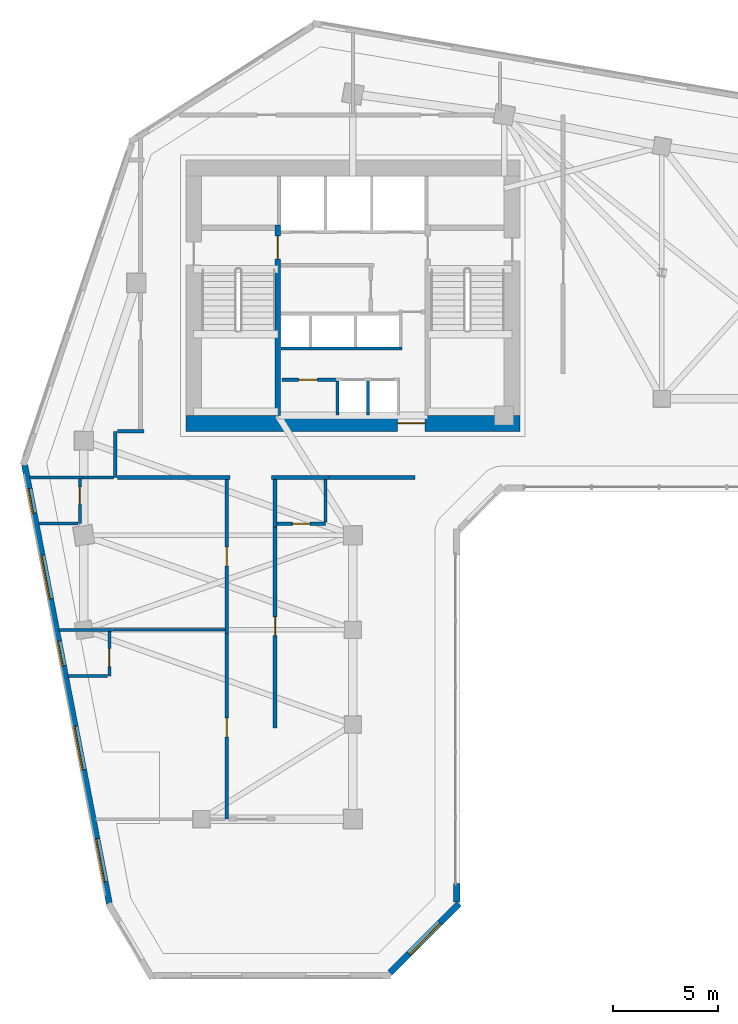
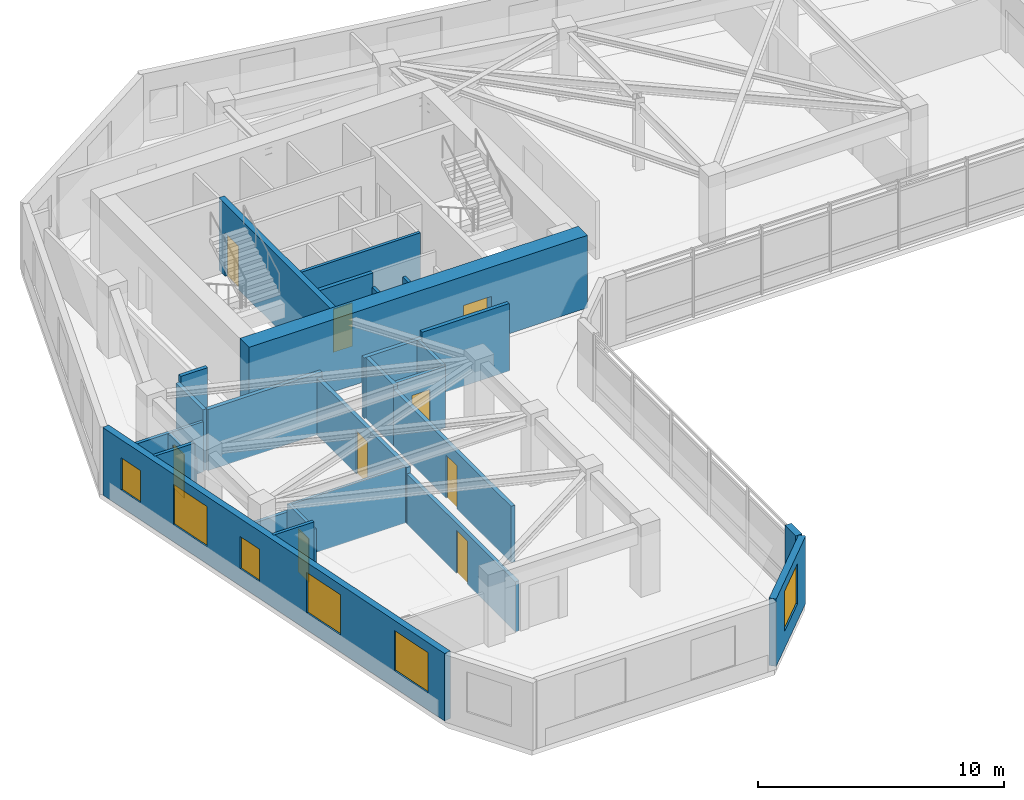
# One storey, part 5 of 13: 28 walls, 9 doors, 6 windows, 15 openings.
"""IFC4 building model written with IfcOpenShell, lengths in metres."""

import ifcopenshell
import ifcopenshell.guid

model = None  # the IFC model being written
_history = None  # IfcOwnerHistory: only IFC2X3 demands one
_inside = {}  # id of a spatial element -> (the spatial element, [elements in it])
_under = {}  # id of a project, library or spatial element -> (it, [spatial elements below it])
_declared = {}  # id of a project -> (the project, [libraries it declares])
_typed = {}  # id of a type object -> (the type object, [elements of that type])
_made_of = {}  # id of a material, layer set ... -> (it, [elements and type objects made of it])


def new_model(schema):
    """Start an empty IFC model of exactly this schema.

    Asked for "IFC4X3", IfcOpenShell would pick the latest addendum, in which some entities
    have other attributes; the version numbers below select the first issue.
    IFC2X3 requires an IfcOwnerHistory on every rooted entity: one is made here for all.
    """
    global model, _history
    if schema == "IFC4X3":
        model = ifcopenshell.file(schema_version=(4, 3, 0, 0))
    else:
        model = ifcopenshell.file(schema=schema)
    _inside.clear()
    _under.clear()
    _declared.clear()
    _typed.clear()
    _made_of.clear()
    _history = None
    if model.schema == "IFC2X3":
        org = make("IfcOrganization", Name="unknown")
        user = make(
            "IfcPersonAndOrganization",
            ThePerson=make("IfcPerson", FamilyName="unknown"),
            TheOrganization=org,
        )
        app = make(
            "IfcApplication",
            ApplicationDeveloper=org,
            Version="unknown",
            ApplicationFullName="unknown",
            ApplicationIdentifier="unknown",
        )
        _history = make(
            "IfcOwnerHistory",
            OwningUser=user,
            OwningApplication=app,
            ChangeAction="ADDED",
            CreationDate=0,
        )
    return model


def make(cls, **values):
    """One entity of the class cls with the attributes given. An attribute that is None is left unset."""
    return model.create_entity(
        cls, **{name: value for name, value in values.items() if value is not None}
    )


def rooted(cls, **values):
    """An entity with a GlobalId (a new one), such as an element, a storey or a relation."""
    return make(cls, GlobalId=ifcopenshell.guid.new(), OwnerHistory=_history, **values)


def si_unit(unit_type, name, prefix=None):
    """IfcSIUnit, for example si_unit("LENGTHUNIT", "METRE", prefix="MILLI")."""
    return make("IfcSIUnit", UnitType=unit_type, Prefix=prefix, Name=name)


def assignment(units):
    """IfcUnitAssignment: the units of a project."""
    return None if units is None else make("IfcUnitAssignment", Units=units)


def point(xyz):
    """IfcCartesianPoint."""
    return None if xyz is None else make("IfcCartesianPoint", Coordinates=xyz)


def direction(xyz):
    """IfcDirection."""
    return None if xyz is None else make("IfcDirection", DirectionRatios=xyz)


def frame(location, z_axis=None, x_axis=None):
    """IfcAxis2Placement3D, a coordinate frame: its origin and axes. An axis left out is left unset."""
    return make(
        "IfcAxis2Placement3D",
        Location=point(location),
        Axis=direction(z_axis),
        RefDirection=direction(x_axis),
    )


def frame_2d(location, x_axis=None):
    """IfcAxis2Placement2D, a coordinate frame in the plane: its origin and x axis."""
    return make(
        "IfcAxis2Placement2D", Location=point(location), RefDirection=direction(x_axis)
    )


def origin():
    """The frame at (0, 0, 0) with its axes left unset."""
    return frame((0.0, 0.0, 0.0))


def place(relative_to, where):
    """IfcLocalPlacement: puts the frame where relative to a parent placement (None: the world)."""
    return make(
        "IfcLocalPlacement", PlacementRelTo=relative_to, RelativePlacement=where
    )


def context(
    kind, dimensions, precision=None, world=None, true_north=None, identifier=None
):
    """IfcGeometricRepresentationContext, for example the 3D "Model" context."""
    return make(
        "IfcGeometricRepresentationContext",
        ContextIdentifier=identifier,
        ContextType=kind,
        CoordinateSpaceDimension=dimensions,
        Precision=precision,
        WorldCoordinateSystem=world,
        TrueNorth=true_north,
    )


def subcontext(parent, identifier, kind, view, scale=None):
    """IfcGeometricRepresentationSubContext, for example "Body" below "Model"."""
    return make(
        "IfcGeometricRepresentationSubContext",
        ContextIdentifier=identifier,
        ContextType=kind,
        ParentContext=parent,
        TargetScale=scale,
        TargetView=view,
    )


def project(units=None, contexts=None):
    """IfcProject with its units and contexts."""
    return rooted(
        "IfcProject",
        Name="project",
        RepresentationContexts=contexts,
        UnitsInContext=assignment(units),
    )


def spatial(cls, under=None, at=None, **own):
    """A site, building, storey or space (cls), placed at a placement, below another one or the project."""
    s = rooted(cls, ObjectPlacement=at, **own)
    if under is not None:
        _under.setdefault(under.id(), (under, []))[1].append(s)
    return s


def profile(cls, at=None, kind="AREA", **sizes):
    """A parametric profile (cls). Its sizes go by their IFC names, for example OverallWidth=200.0."""
    return make(cls, ProfileType=kind, Position=at, **sizes)


def rectangle(**sizes):
    """IfcRectangleProfileDef."""
    return profile("IfcRectangleProfileDef", **sizes)


def extrude(swept, where, along, depth):
    """IfcExtrudedAreaSolid: the profile swept, set in the frame where, extruded along a direction by depth."""
    return make(
        "IfcExtrudedAreaSolid",
        SweptArea=swept,
        Position=where,
        ExtrudedDirection=direction(along),
        Depth=depth,
    )


def shape(context_of_items, identifier, shape_type, items):
    """IfcShapeRepresentation: the items that make up one representation, for example the "Body"."""
    return make(
        "IfcShapeRepresentation",
        ContextOfItems=context_of_items,
        RepresentationIdentifier=identifier,
        RepresentationType=shape_type,
        Items=items,
    )


def source(mapping_origin, context_of_items, identifier, shape_type, items):
    """IfcRepresentationMap: a shape defined once, which mapped items show again and again."""
    return make(
        "IfcRepresentationMap",
        MappingOrigin=mapping_origin,
        MappedRepresentation=shape(context_of_items, identifier, shape_type, items),
    )


def transform(
    local_origin,
    x_axis=None,
    y_axis=None,
    z_axis=None,
    scale=None,
    scale2=None,
    scale3=None,
    uniform=True,
):
    """IfcCartesianTransformationOperator3D, or its non-uniform kind. x_axis, y_axis, z_axis: its Axis1, 2, 3."""
    if uniform:
        return make(
            "IfcCartesianTransformationOperator3D",
            Axis1=direction(x_axis),
            Axis2=direction(y_axis),
            LocalOrigin=point(local_origin),
            Scale=scale,
            Axis3=direction(z_axis),
        )
    return make(
        "IfcCartesianTransformationOperator3DnonUniform",
        Axis1=direction(x_axis),
        Axis2=direction(y_axis),
        LocalOrigin=point(local_origin),
        Scale=scale,
        Axis3=direction(z_axis),
        Scale2=scale2,
        Scale3=scale3,
    )


def mapped(mapping_source, mapping_target):
    """IfcMappedItem: shows the shape of a source again, moved by a transform."""
    return make(
        "IfcMappedItem", MappingSource=mapping_source, MappingTarget=mapping_target
    )


def material(Name=None, Category=None):
    """IfcMaterial."""
    return make("IfcMaterial", Name=Name, Category=Category)


def layer(
    of_material, thickness, ventilated=None, Name=None, Category=None, Priority=None
):
    """IfcMaterialLayer: one layer of a wall or slab, of a material (None: an air gap)."""
    return make(
        "IfcMaterialLayer",
        Material=of_material,
        LayerThickness=thickness,
        IsVentilated=ventilated,
        Name=Name,
        Category=Category,
        Priority=Priority,
    )


def layer_set(layers, Name=None):
    """IfcMaterialLayerSet."""
    return make("IfcMaterialLayerSet", MaterialLayers=layers, LayerSetName=Name)


def made_of(thing, what):
    """Note that an element or type object is made of a material, layer set ...; save() writes the relation."""
    if what is not None:
        _made_of.setdefault(what.id(), (what, []))[1].append(thing)
    return thing


def type_object(cls, material=None, **own):
    """A type object (cls), such as IfcWallType, which elements share."""
    return made_of(rooted(cls, **own), material)


def element(
    cls,
    number,
    at=None,
    inside=None,
    cuts=None,
    type_object=None,
    material=None,
    context=None,
    identifier="Body",
    shape_type=None,
    held_by="IfcProductDefinitionShape",
    body=None,
    shapes=None,
    **own,
):
    """One element of the class cls, such as IfcWall. Its Tag is "e" and its number.

    at: its placement. inside: the storey or other place that contains it. cuts: it is an
    opening in that element (IfcRelVoidsElement). A single representation is given by context,
    identifier, shape_type and body (its items); several are given by shapes. held_by: the class
    of the entity that holds the representations. save() writes the other relations.
    """
    e = rooted(cls, Tag="e%d" % number, ObjectPlacement=at, **own)
    if body is not None:
        shapes = [shape(context, identifier, shape_type, body)]
    if shapes is not None:
        e.Representation = make(held_by, Representations=shapes)
    if inside is not None:
        _inside.setdefault(inside.id(), (inside, []))[1].append(e)
    if cuts is not None:
        rooted(
            "IfcRelVoidsElement", RelatingBuildingElement=cuts, RelatedOpeningElement=e
        )
    if type_object is not None:
        _typed.setdefault(type_object.id(), (type_object, []))[1].append(e)
    return made_of(e, material)


def fill(opening, filler):
    """IfcRelFillsElement: the door or window that sits in an opening."""
    return rooted(
        "IfcRelFillsElement",
        RelatingOpeningElement=opening,
        RelatedBuildingElement=filler,
    )


def aggregate(whole, parts):
    """IfcRelAggregates: a whole, such as a stair, and the parts it consists of."""
    return rooted("IfcRelAggregates", RelatingObject=whole, RelatedObjects=parts)


def save(model, path):
    """Write the relations noted so far, then the file.

    IfcRelAggregates (storeys below a building ...), IfcRelContainedInSpatialStructure (elements
    in a storey), IfcRelDefinesByType, IfcRelAssociatesMaterial and IfcRelDeclares: one each for
    every whole, place, type object, material and project.
    """
    for whole, parts in _under.values():
        aggregate(whole, parts)
    for where, things in _inside.values():
        rooted(
            "IfcRelContainedInSpatialStructure",
            RelatedElements=things,
            RelatingStructure=where,
        )
    for kind, things in _typed.values():
        rooted("IfcRelDefinesByType", RelatedObjects=things, RelatingType=kind)
    for what, things in _made_of.values():
        rooted("IfcRelAssociatesMaterial", RelatedObjects=things, RelatingMaterial=what)
    for by, libraries in _declared.values():
        rooted("IfcRelDeclares", RelatingContext=by, RelatedDefinitions=libraries)
    model.write(path)


model = new_model("IFC4")

# Units and contexts
model_context = context("Model", 3, precision=1e-05, world=origin(), true_north=direction((0.0, 1.0)))
body_context = subcontext(model_context, "Body", "Model", "MODEL_VIEW")
ifc_project = project(units=[si_unit("LENGTHUNIT", "METRE"), si_unit("AREAUNIT", "SQUARE_METRE"), si_unit("VOLUMEUNIT", "CUBIC_METRE"), si_unit("PLANEANGLEUNIT", "RADIAN"), si_unit("MASSUNIT", "GRAM", prefix="KILO")], contexts=[model_context])

# Site, building, storey
site_placement = place(None, origin())
site = spatial("IfcSite", under=ifc_project, at=site_placement, CompositionType="ELEMENT")
building_placement = place(site_placement, origin())
building = spatial("IfcBuilding", under=site, at=building_placement, Name="Calvemar Wedge Station Tower", CompositionType="ELEMENT")
storey_placement = place(building_placement, frame((0.0, 0.0, 132.199951171875)))
storey = spatial("IfcBuildingStorey", under=building, at=storey_placement, Name="L32", CompositionType="ELEMENT", Elevation=132.199951171875)

# Wall, opening, door
ifc_material_1 = material(Name="Concrete C50", Category="concrete")
ifc_layer_1 = layer(ifc_material_1, 0.260009765625)
ifc_layer_set_1 = layer_set([ifc_layer_1], Name="Concrete C50")
wall_type_1 = type_object("IfcWallType", Name="SW-CORE-260", PredefinedType="SHEAR", material=ifc_layer_set_1)
wall_1_placement = place(storey_placement, frame((20.22998046875, 34.199951171875, 0.0), z_axis=(0.0, 0.0, 1.0), x_axis=(0.0, 1.0, 0.0)))
wall_1 = element("IfcWall", 1, at=wall_1_placement, inside=storey, type_object=wall_type_1, Name="Storey L32 Core Shear Wall SPINE-W", PredefinedType="SHEAR", context=body_context, shape_type="SweptSolid", body=[
    extrude(rectangle(XDim=9.06005859375, YDim=0.260009765625, at=frame_2d((4.530029296875, 0.0))), origin(), (0.0, 0.0, 1.0), 3.60009765625),
])
shared_shape_1 = source(origin(), body_context, "Body", "SweptSolid", [
    extrude(rectangle(XDim=1.10009765625, YDim=2.14990234375, at=frame_2d((0.550048828125, 1.074951171875))), frame((0.0, 0.14013671875, 0.0), z_axis=(0.0, -1.0, 0.0), x_axis=(1.0, 0.0, 0.0)), (0.0, 0.0, 1.0), 0.280029296875),
])
opening_1_placement = place(wall_1_placement, frame((7.449951171875, 0.0, 0.0)))
opening_1 = element("IfcOpeningElement", 2, at=opening_1_placement, cuts=wall_1, Name="Opening FD-90", PredefinedType="OPENING", context=body_context, shape_type="MappedRepresentation", body=[
    mapped(shared_shape_1, transform((0.0, 0.0, 0.0), scale=1.0)),
])
ifc_material_2 = material(Name="Galvanized fire-rated steel door leaf P-90", Category="steel")
door_type_1 = type_object("IfcDoorType", Name="DR-FD90-1100", OperationType="NOTDEFINED", PredefinedType="DOOR", material=ifc_material_2)
shared_shape_2 = source(origin(), body_context, "Body", "SweptSolid", [
    extrude(rectangle(XDim=1.10009765625, YDim=2.14990234375, at=frame_2d((0.550048828125, 1.074951171875))), frame((0.0, 0.02490234375, 0.0), z_axis=(0.0, -1.0, 0.0), x_axis=(1.0, 0.0, 0.0)), (0.0, 0.0, 1.0), 0.050048828125),
])
door_1_placement = place(opening_1_placement, origin())
door_1 = element("IfcDoor", 3, at=door_1_placement, inside=storey, type_object=door_type_1, Name="L32 FF Lobby to Stair ST-C1 Door", OperationType="SINGLE_SWING_LEFT", OverallHeight=2.14990234375, OverallWidth=1.10009765625, PredefinedType="DOOR", context=body_context, shape_type="MappedRepresentation", body=[
    mapped(shared_shape_2, transform((0.0, 0.0, 0.0), scale=1.0)),
])
fill(opening_1, door_1)

ifc_material_3 = material(Name="Concrete C70", Category="concrete")
ifc_layer_2 = layer(ifc_material_3, 0.75)
ifc_layer_set_2 = layer_set([ifc_layer_2], Name="Concrete C70")
wall_type_2 = type_object("IfcWallType", Name="SW-CORE-750", PredefinedType="SHEAR", material=ifc_layer_set_2)
wall_2_placement = place(storey_placement, frame((15.85009765625, 33.824951171875, 0.0), z_axis=(0.0, 0.0, 1.0), x_axis=(1.0, 0.0, 0.0)))
wall_2 = element("IfcWall", 4, at=wall_2_placement, inside=storey, type_object=wall_type_2, Name="Storey L32 Core Shear Wall S", PredefinedType="SHEAR", context=body_context, shape_type="SweptSolid", body=[
    extrude(rectangle(XDim=15.89990234375, YDim=0.75, at=frame_2d((7.949951171875, 0.0))), origin(), (0.0, 0.0, 1.0), 3.60009765625),
])
shared_shape_3 = source(origin(), body_context, "Body", "SweptSolid", [
    extrude(rectangle(XDim=1.300048828125, YDim=2.14990234375, at=frame_2d((0.64990234375, 1.074951171875))), frame((0.0, 0.385009765625, 0.0), z_axis=(0.0, -1.0, 0.0), x_axis=(1.0, 0.0, 0.0)), (0.0, 0.0, 1.0), 0.77001953125),
])
opening_2_placement = place(wall_2_placement, frame((10.080078125, 0.0, 0.0)))
opening_2 = element("IfcOpeningElement", 5, at=opening_2_placement, cuts=wall_2, Name="Opening DD-130", PredefinedType="OPENING", context=body_context, shape_type="MappedRepresentation", body=[
    mapped(shared_shape_3, transform((0.0, 0.0, 0.0), scale=1.0)),
])
ifc_material_4 = material(Name="Double-leaf lift lobby fire door EI 60")
door_type_2 = type_object("IfcDoorType", Name="DR-DBL-1300", OperationType="DOUBLE_DOOR_SINGLE_SWING", PredefinedType="DOOR", material=ifc_material_4)
shared_shape_4 = source(origin(), body_context, "Body", "SweptSolid", [
    extrude(rectangle(XDim=1.300048828125, YDim=2.14990234375, at=frame_2d((0.64990234375, 1.074951171875))), frame((0.0, 0.02490234375, 0.0), z_axis=(0.0, -1.0, 0.0), x_axis=(1.0, 0.0, 0.0)), (0.0, 0.0, 1.0), 0.050048828125),
])
door_2_placement = place(opening_2_placement, origin())
door_2 = element("IfcDoor", 6, at=door_2_placement, inside=storey, type_object=door_type_2, Name="L32 Passenger Lift Lobby Door", OperationType="DOUBLE_DOOR_SINGLE_SWING", OverallHeight=2.14990234375, OverallWidth=1.300048828125, PredefinedType="DOOR", context=body_context, shape_type="MappedRepresentation", body=[
    mapped(shared_shape_4, transform((0.0, 0.0, 0.0), scale=1.0)),
])
fill(opening_2, door_2)

ifc_material_5 = material(Name="Double-stud fire-rated corridor partition")
ifc_layer_3 = layer(ifc_material_5, 0.179931640625)
ifc_layer_set_3 = layer_set([ifc_layer_3], Name="Double-stud fire-rated corridor partition")
wall_type_3 = type_object("IfcWallType", Name="W-CORR-180", PredefinedType="PARTITIONING", material=ifc_layer_set_3)
wall_3_placement = place(storey_placement, frame((20.419921875, 35.89990234375, 0.0), z_axis=(0.0, 0.0, 1.0), x_axis=(1.0, 0.0, 0.0)))
wall_3 = element("IfcWall", 7, at=wall_3_placement, inside=storey, type_object=wall_type_3, Name="Storey L32 Interior Partition WL-L32-004", PredefinedType="PARTITIONING", context=body_context, shape_type="SweptSolid", body=[
    extrude(rectangle(XDim=2.6201171875, YDim=0.179931640625, at=frame_2d((1.31005859375, 0.0))), origin(), (0.0, 0.0, 1.0), 3.35009765625),
])
shared_shape_5 = source(origin(), body_context, "Body", "SweptSolid", [
    extrude(rectangle(XDim=0.89990234375, YDim=2.14990234375, at=frame_2d((0.449951171875, 1.074951171875))), frame((0.0, 0.10009765625, 0.0), z_axis=(0.0, -1.0, 0.0), x_axis=(1.0, 0.0, 0.0)), (0.0, 0.0, 1.0), 0.199951171875),
])
opening_3_placement = place(wall_3_placement, frame((0.795654296875, 0.0, 0.0)))
opening_3 = element("IfcOpeningElement", 8, at=opening_3_placement, cuts=wall_3, Name="Opening FD-60", PredefinedType="OPENING", context=body_context, shape_type="MappedRepresentation", body=[
    mapped(shared_shape_5, transform((0.0, 0.0, 0.0), scale=1.0)),
])
ifc_material_6 = material(Name="Fire-rated acoustic timber-core entrance door EI 60", Category="wood")
door_type_3 = type_object("IfcDoorType", Name="DR-FD60-900", OperationType="NOTDEFINED", PredefinedType="DOOR", material=ifc_material_6)
shared_shape_6 = source(origin(), body_context, "Body", "SweptSolid", [
    extrude(rectangle(XDim=0.89990234375, YDim=2.14990234375, at=frame_2d((0.449951171875, 1.074951171875))), frame((0.0, 0.02490234375, 0.0), z_axis=(0.0, -1.0, 0.0), x_axis=(1.0, 0.0, 0.0)), (0.0, 0.0, 1.0), 0.050048828125),
])
door_3_placement = place(opening_3_placement, origin())
door_3 = element("IfcDoor", 9, at=door_3_placement, inside=storey, type_object=door_type_3, Name="L32 Housekeeping Store Door", OperationType="SINGLE_SWING_LEFT", OverallHeight=2.14990234375, OverallWidth=0.89990234375, PredefinedType="DOOR", context=body_context, shape_type="MappedRepresentation", body=[
    mapped(shared_shape_6, transform((0.0, 0.0, 0.0), scale=1.0)),
])
fill(opening_3, door_3)

# Walls
wall_4_placement = place(storey_placement, frame((12.5, 31.25, 0.0), z_axis=(0.0, 0.0, 1.0), x_axis=(0.0, 1.0, 0.0)))
element("IfcWall", 10, at=wall_4_placement, inside=storey, type_object=wall_type_3, Name="Storey L32 Interior Partition WL-L32-005", PredefinedType="PARTITIONING", context=body_context, shape_type="SweptSolid", body=[
    extrude(rectangle(XDim=2.199951171875, YDim=0.179931640625, at=frame_2d((1.10009765625, 0.0))), origin(), (0.0, 0.0, 1.0), 3.033935546875),
])
wall_5_placement = place(storey_placement, frame((12.593994140625, 33.449951171875, 0.0), z_axis=(0.0, 0.0, 1.0), x_axis=(1.0, 0.0, 0.0)))
element("IfcWall", 11, at=wall_5_placement, inside=storey, type_object=wall_type_3, Name="Storey L32 Interior Partition WL-L32-006", PredefinedType="PARTITIONING", context=body_context, shape_type="SweptSolid", body=[
    extrude(rectangle(XDim=1.26611328125, YDim=0.179931640625, at=frame_2d((0.633056640625, 0.0))), origin(), (0.0, 0.0, 1.0), 3.35009765625),
])
wall_6_placement = place(storey_placement, frame((17.9599609375, 31.25, 0.0), z_axis=(0.0, 0.0, 1.0), x_axis=(-1.0, 0.0, 0.0)))
element("IfcWall", 12, at=wall_6_placement, inside=storey, type_object=wall_type_3, Name="Storey L32 Interior Partition WL-L32-007", PredefinedType="PARTITIONING", context=body_context, shape_type="SweptSolid", body=[
    extrude(rectangle(XDim=5.365966796875, YDim=0.179931640625, at=frame_2d((2.68310546875, 0.0))), origin(), (0.0, 0.0, 1.0), 3.033935546875),
])
wall_7_placement = place(storey_placement, frame((22.659912109375, 31.25, 0.0), z_axis=(0.0, 0.0, 1.0), x_axis=(-1.0, 0.0, 0.0)))
element("IfcWall", 13, at=wall_7_placement, inside=storey, type_object=wall_type_3, Name="Storey L32 Interior Partition WL-L32-008", PredefinedType="PARTITIONING", context=body_context, shape_type="SweptSolid", body=[
    extrude(rectangle(XDim=2.719970703125, YDim=0.179931640625, at=frame_2d((1.35986328125, 0.0))), origin(), (0.0, 0.0, 1.0), 3.033935546875),
])
wall_8_placement = place(storey_placement, frame((26.760009765625, 31.25, 0.0), z_axis=(0.0, 0.0, 1.0), x_axis=(-1.0, 0.0, 0.0)))
element("IfcWall", 14, at=wall_8_placement, inside=storey, type_object=wall_type_3, Name="Storey L32 Interior Partition WL-L32-009", PredefinedType="PARTITIONING", context=body_context, shape_type="SweptSolid", body=[
    extrude(rectangle(XDim=4.097900390625, YDim=0.179931640625, at=frame_2d((2.048828125, 0.0))), origin(), (0.0, 0.0, 1.0), 3.35009765625),
])

# Wall, opening, door
wall_9_placement = place(storey_placement, frame((17.800048828125, 23.840087890625, 0.0), z_axis=(0.0, 0.0, 1.0), x_axis=(0.0, 1.0, 0.0)))
wall_9 = element("IfcWall", 15, at=wall_9_placement, inside=storey, type_object=wall_type_3, Name="Storey L32 Interior Partition WL-L32-022", PredefinedType="PARTITIONING", context=body_context, shape_type="SweptSolid", body=[
    extrude(rectangle(XDim=7.31591796875, YDim=0.179931640625, at=frame_2d((3.657958984375, 0.0))), origin(), (0.0, 0.0, 1.0), 2.802978515625),
])
opening_4_placement = place(wall_9_placement, frame((3.2080078125, 0.0, 0.0)))
opening_4 = element("IfcOpeningElement", 16, at=opening_4_placement, cuts=wall_9, Name="Opening FD-60", PredefinedType="OPENING", context=body_context, shape_type="MappedRepresentation", body=[
    mapped(shared_shape_5, transform((0.0, 0.0, 0.0), scale=1.0)),
])
door_4_placement = place(opening_4_placement, origin())
door_4 = element("IfcDoor", 17, at=door_4_placement, inside=storey, type_object=door_type_3, Name="L32 Hotel Suite Door", OperationType="SINGLE_SWING_LEFT", OverallHeight=2.14990234375, OverallWidth=0.89990234375, PredefinedType="DOOR", context=body_context, shape_type="MappedRepresentation", body=[
    mapped(shared_shape_6, transform((0.0, 0.0, 0.0), scale=1.0)),
])
fill(opening_4, door_4)

wall_10_placement = place(storey_placement, frame((17.800048828125, 15.0, 0.0), z_axis=(0.0, 0.0, 1.0), x_axis=(0.0, 1.0, 0.0)))
wall_10 = element("IfcWall", 18, at=wall_10_placement, inside=storey, type_object=wall_type_3, Name="Storey L32 Interior Partition WL-L32-023", PredefinedType="PARTITIONING", context=body_context, shape_type="SweptSolid", body=[
    extrude(rectangle(XDim=8.837890625, YDim=0.179931640625, at=frame_2d((4.4189453125, 0.0))), origin(), (0.0, 0.0, 1.0), 2.491943359375),
])
opening_5_placement = place(wall_10_placement, frame((3.908447265625, 0.0, 0.0)))
opening_5 = element("IfcOpeningElement", 19, at=opening_5_placement, cuts=wall_10, Name="Opening FD-60", PredefinedType="OPENING", context=body_context, shape_type="MappedRepresentation", body=[
    mapped(shared_shape_5, transform((0.0, 0.0, 0.0), scale=1.0)),
])
door_5_placement = place(opening_5_placement, origin())
door_5 = element("IfcDoor", 20, at=door_5_placement, inside=storey, type_object=door_type_3, Name="L32 Hotel Guest Room Door", OperationType="SINGLE_SWING_LEFT", OverallHeight=2.14990234375, OverallWidth=0.89990234375, PredefinedType="DOOR", context=body_context, shape_type="MappedRepresentation", body=[
    mapped(shared_shape_6, transform((0.0, 0.0, 0.0), scale=1.0)),
])
fill(opening_5, door_5)

# Wall
wall_11_placement = place(storey_placement, frame((20.10009765625, 31.156005859375, 0.0), z_axis=(0.0, 0.0, 1.0), x_axis=(0.0, -1.0, 0.0)))
element("IfcWall", 21, at=wall_11_placement, inside=storey, type_object=wall_type_3, Name="Storey L32 Interior Partition WL-L32-024", PredefinedType="PARTITIONING", context=body_context, shape_type="SweptSolid", body=[
    extrude(rectangle(XDim=2.26611328125, YDim=0.179931640625, at=frame_2d((1.133056640625, 0.0))), origin(), (0.0, 0.0, 1.0), 3.033935546875),
])

# Wall, opening, door
wall_12_placement = place(storey_placement, frame((20.10009765625, 28.887939453125, 0.0), z_axis=(0.0, 0.0, 1.0), x_axis=(0.0, -1.0, 0.0)))
wall_12 = element("IfcWall", 22, at=wall_12_placement, inside=storey, type_object=wall_type_3, Name="Storey L32 Interior Partition WL-L32-025", PredefinedType="PARTITIONING", context=body_context, shape_type="SweptSolid", body=[
    extrude(rectangle(XDim=9.5478515625, YDim=0.179931640625, at=frame_2d((4.77392578125, 0.0))), origin(), (0.0, 0.0, 1.0), 2.802978515625),
])
opening_6_placement = place(wall_12_placement, frame((4.263671875, 0.0, 0.0)))
opening_6 = element("IfcOpeningElement", 23, at=opening_6_placement, cuts=wall_12, Name="Opening FD-60", PredefinedType="OPENING", context=body_context, shape_type="MappedRepresentation", body=[
    mapped(shared_shape_5, transform((0.0, 0.0, 0.0), scale=1.0)),
])
door_6_placement = place(opening_6_placement, origin())
door_6 = element("IfcDoor", 24, at=door_6_placement, inside=storey, type_object=door_type_3, Name="L32 Hotel Suite Door", OperationType="SINGLE_SWING_LEFT", OverallHeight=2.14990234375, OverallWidth=0.89990234375, PredefinedType="DOOR", context=body_context, shape_type="MappedRepresentation", body=[
    mapped(shared_shape_6, transform((0.0, 0.0, 0.0), scale=1.0)),
])
fill(opening_6, door_6)

# Wall, opening, window
ifc_material_7 = material(Name="Precast concrete C45", Category="concrete")
ifc_layer_4 = layer(ifc_material_7, 0.300048828125)
ifc_layer_set_4 = layer_set([ifc_layer_4], Name="Precast concrete C45")
wall_type_4 = type_object("IfcWallType", Name="W-EXT-GFRC-300", PredefinedType="SOLIDWALL", material=ifc_layer_set_4)
wall_13_placement = place(storey_placement, frame((25.572021484375, 7.68798828125, 0.0), z_axis=(0.0, 0.0, 1.0), x_axis=(0.70708046583, 0.707133095564, 0.0)))
wall_13 = element("IfcWall", 25, at=wall_13_placement, inside=storey, type_object=wall_type_4, Name="Storey L32 Bronze GFRC Exterior Wall 3", PredefinedType="SOLIDWALL", context=body_context, shape_type="SweptSolid", body=[
    extrude(rectangle(XDim=4.638916015625, YDim=0.300048828125, at=frame_2d((2.3193359375, 0.0))), origin(), (0.0, 0.0, 1.0), 3.35009765625),
])
shared_shape_7 = source(origin(), body_context, "Body", "SweptSolid", [
    extrude(rectangle(XDim=2.10009765625, YDim=2.0, at=frame_2d((1.050048828125, 1.0))), frame((0.0, 0.16015625, 0.0), z_axis=(0.0, -1.0, 0.0), x_axis=(1.0, 0.0, 0.0)), (0.0, 0.0, 1.0), 0.320068359375),
])
opening_7_placement = place(wall_13_placement, frame((1.26904296875, 0.0, 0.85009765625)))
opening_7 = element("IfcOpeningElement", 26, at=opening_7_placement, cuts=wall_13, Name="Opening W4", PredefinedType="OPENING", context=body_context, shape_type="MappedRepresentation", body=[
    mapped(shared_shape_7, transform((0.0, 0.0, 0.0), scale=1.0)),
])
ifc_material_8 = material(Name="Low-E laminated insulated glass", Category="glass")
window_type_1 = type_object("IfcWindowType", Name="WIN-EXT-4", PartitioningType="SINGLE_PANEL", PredefinedType="WINDOW", material=ifc_material_8)
shared_shape_8 = source(origin(), body_context, "Body", "SweptSolid", [
    extrude(rectangle(XDim=2.10009765625, YDim=2.0, at=frame_2d((1.050048828125, 1.0))), frame((0.0, -0.014892578125, 0.0), z_axis=(0.0, -1.0, 0.0), x_axis=(1.0, 0.0, 0.0)), (0.0, 0.0, 1.0), 0.06005859375),
])
window_1_placement = place(opening_7_placement, origin())
window_1 = element("IfcWindow", 27, at=window_1_placement, inside=storey, type_object=window_type_1, Name="Storey L32 Recessed Window 3.1", OverallHeight=2.0, OverallWidth=2.10009765625, PartitioningType="SINGLE_PANEL", PredefinedType="WINDOW", context=body_context, shape_type="MappedRepresentation", body=[
    mapped(shared_shape_8, transform((0.0, 0.0, 0.0), scale=1.0)),
])
fill(opening_7, window_1)

# Wall
wall_14_placement = place(storey_placement, frame((28.74609375, 11.057373046875, 0.0), z_axis=(0.0, 0.0, 1.0), x_axis=(0.0, 1.0, 0.0)))
element("IfcWall", 28, at=wall_14_placement, inside=storey, type_object=wall_type_4, Name="Storey L32 Bronze GFRC Corner Pier 4A", PredefinedType="SOLIDWALL", context=body_context, shape_type="SweptSolid", body=[
    extrude(rectangle(XDim=0.88232421875, YDim=0.300048828125, at=frame_2d((0.441162109375, 0.0))), origin(), (0.0, 0.0, 1.0), 3.35009765625),
])

# Wall, openings, windows
wall_15_placement = place(storey_placement, frame((8.184814453125, 31.833740234375, 0.0), z_axis=(0.0, 0.0, 1.0), x_axis=(0.189707113148, -0.981840725994, 0.0)))
wall_15 = element("IfcWall", 29, at=wall_15_placement, inside=storey, type_object=wall_type_4, Name="Storey L32 Bronze GFRC Exterior Wall 13", PredefinedType="SOLIDWALL", context=body_context, shape_type="SweptSolid", body=[
    extrude(rectangle(XDim=21.221435546875, YDim=0.300048828125, at=frame_2d((10.61083984375, 0.0))), origin(), (0.0, 0.0, 1.0), 3.35009765625),
])
shared_shape_9 = source(origin(), body_context, "Body", "SweptSolid", [
    extrude(rectangle(XDim=1.199951171875, YDim=1.60009765625, at=frame_2d((0.60009765625, 0.800048828125))), frame((0.0, 0.16015625, 0.0), z_axis=(0.0, -1.0, 0.0), x_axis=(1.0, 0.0, 0.0)), (0.0, 0.0, 1.0), 0.320068359375),
])
opening_8_placement = place(wall_15_placement, frame((1.126953125, 0.0, 0.85009765625)))
opening_8 = element("IfcOpeningElement", 30, at=opening_8_placement, cuts=wall_15, Name="Opening W5", PredefinedType="OPENING", context=body_context, shape_type="MappedRepresentation", body=[
    mapped(shared_shape_9, transform((0.0, 0.0, 0.0), scale=1.0)),
])
opening_9_placement = place(wall_15_placement, frame((4.368896484375, 0.0, 0.85009765625)))
opening_9 = element("IfcOpeningElement", 31, at=opening_9_placement, cuts=wall_15, Name="Opening W4", PredefinedType="OPENING", context=body_context, shape_type="MappedRepresentation", body=[
    mapped(shared_shape_7, transform((0.0, 0.0, 0.0), scale=1.0)),
])
opening_10_placement = place(wall_15_placement, frame((8.52099609375, 0.0, 0.85009765625)))
opening_10 = element("IfcOpeningElement", 32, at=opening_10_placement, cuts=wall_15, Name="Opening W5", PredefinedType="OPENING", context=body_context, shape_type="MappedRepresentation", body=[
    mapped(shared_shape_9, transform((0.0, 0.0, 0.0), scale=1.0)),
])
opening_11_placement = place(wall_15_placement, frame((12.654052734375, 0.0, 0.85009765625)))
opening_11 = element("IfcOpeningElement", 33, at=opening_11_placement, cuts=wall_15, Name="Opening W4", PredefinedType="OPENING", context=body_context, shape_type="MappedRepresentation", body=[
    mapped(shared_shape_7, transform((0.0, 0.0, 0.0), scale=1.0)),
])
opening_12_placement = place(wall_15_placement, frame((18.093994140625, 0.0, 0.85009765625)))
opening_12 = element("IfcOpeningElement", 34, at=opening_12_placement, cuts=wall_15, Name="Opening W4", PredefinedType="OPENING", context=body_context, shape_type="MappedRepresentation", body=[
    mapped(shared_shape_7, transform((0.0, 0.0, 0.0), scale=1.0)),
])
window_2_placement = place(opening_9_placement, origin())
window_2 = element("IfcWindow", 35, at=window_2_placement, inside=storey, type_object=window_type_1, Name="Storey L32 Recessed Window 13.2", OverallHeight=2.0, OverallWidth=2.10009765625, PartitioningType="SINGLE_PANEL", PredefinedType="WINDOW", context=body_context, shape_type="MappedRepresentation", body=[
    mapped(shared_shape_8, transform((0.0, 0.0, 0.0), scale=1.0)),
])
fill(opening_9, window_2)
window_3_placement = place(opening_11_placement, origin())
window_3 = element("IfcWindow", 36, at=window_3_placement, inside=storey, type_object=window_type_1, Name="Storey L32 Recessed Window 13.4", OverallHeight=2.0, OverallWidth=2.10009765625, PartitioningType="SINGLE_PANEL", PredefinedType="WINDOW", context=body_context, shape_type="MappedRepresentation", body=[
    mapped(shared_shape_8, transform((0.0, 0.0, 0.0), scale=1.0)),
])
fill(opening_11, window_3)
window_4_placement = place(opening_12_placement, origin())
window_4 = element("IfcWindow", 37, at=window_4_placement, inside=storey, type_object=window_type_1, Name="Storey L32 Recessed Window 13.5", OverallHeight=2.0, OverallWidth=2.10009765625, PartitioningType="SINGLE_PANEL", PredefinedType="WINDOW", context=body_context, shape_type="MappedRepresentation", body=[
    mapped(shared_shape_8, transform((0.0, 0.0, 0.0), scale=1.0)),
])
fill(opening_12, window_4)
window_type_2 = type_object("IfcWindowType", Name="WIN-EXT-5", PartitioningType="SINGLE_PANEL", PredefinedType="WINDOW", material=ifc_material_8)
shared_shape_10 = source(origin(), body_context, "Body", "SweptSolid", [
    extrude(rectangle(XDim=1.199951171875, YDim=1.60009765625, at=frame_2d((0.60009765625, 0.800048828125))), frame((0.0, -0.014892578125, 0.0), z_axis=(0.0, -1.0, 0.0), x_axis=(1.0, 0.0, 0.0)), (0.0, 0.0, 1.0), 0.06005859375),
])
window_5_placement = place(opening_8_placement, origin())
window_5 = element("IfcWindow", 38, at=window_5_placement, inside=storey, type_object=window_type_2, Name="Storey L32 Recessed Window 13.1", OverallHeight=1.60009765625, OverallWidth=1.199951171875, PartitioningType="SINGLE_PANEL", PredefinedType="WINDOW", context=body_context, shape_type="MappedRepresentation", body=[
    mapped(shared_shape_10, transform((0.0, 0.0, 0.0), scale=1.0)),
])
fill(opening_8, window_5)
window_6_placement = place(opening_10_placement, origin())
window_6 = element("IfcWindow", 39, at=window_6_placement, inside=storey, type_object=window_type_2, Name="Storey L32 Recessed Window 13.3", OverallHeight=1.60009765625, OverallWidth=1.199951171875, PartitioningType="SINGLE_PANEL", PredefinedType="WINDOW", context=body_context, shape_type="MappedRepresentation", body=[
    mapped(shared_shape_10, transform((0.0, 0.0, 0.0), scale=1.0)),
])
fill(opening_10, window_6)

# Walls
ifc_material_9 = material(Name="Reinforced concrete blockwork lift shaft wall", Category="masonry")
ifc_layer_5 = layer(ifc_material_9, 0.139892578125)
ifc_layer_set_5 = layer_set([ifc_layer_5], Name="Reinforced concrete blockwork lift shaft wall")
wall_type_5 = type_object("IfcWallType", Name="W-LIFT-160", PredefinedType="SOLIDWALL", material=ifc_layer_set_5)
for number, where, z_axis, x_axis, name in (
    (40, (23.070068359375, 34.219970703125, 0.0), (0.0, 0.0, 1.0), (0.0, 1.0, 0.0), "Storey L32 South Passenger Lift Shaft Wall W"),
    (41, (24.514892578125, 34.219970703125, 0.0), (0.0, 0.0, 1.0), (0.0, 1.0, 0.0), "Storey L32 South Passenger Lift Shaft Wall D1"),
):
    element("IfcWall", number, at=place(storey_placement, frame(where, z_axis=z_axis, x_axis=x_axis)), inside=storey, type_object=wall_type_5, Name=name, PredefinedType="SOLIDWALL", context=body_context, shape_type="SweptSolid", body=[
        extrude(rectangle(XDim=1.6201171875, YDim=0.139892578125, at=frame_2d((0.81005859375, 0.0))), origin(), (0.0, 0.0, 1.0), 2.64208984375),
    ])
wall_16_placement = place(storey_placement, frame((20.3798828125, 37.3798828125, 0.0), z_axis=(0.0, 0.0, 1.0), x_axis=(1.0, 0.0, 0.0)))
element("IfcWall", 42, at=wall_16_placement, inside=storey, type_object=wall_type_5, Name="Storey L32 Upper Passenger Lift Bank Front Wall", PredefinedType="SOLIDWALL", context=body_context, shape_type="SweptSolid", body=[
    extrude(rectangle(XDim=5.75, YDim=0.139892578125, at=frame_2d((2.875, 0.0))), origin(), (0.0, 0.0, 1.0), 3.35009765625),
])
ifc_material_10 = material(Name="Insulated acoustic gypsum stud partition")
ifc_layer_6 = layer(ifc_material_10, 0.125)
ifc_layer_set_6 = layer_set([ifc_layer_6], Name="Insulated acoustic gypsum stud partition")
wall_type_6 = type_object("IfcWallType", Name="W-PART-125", PredefinedType="PARTITIONING", material=ifc_layer_set_6)
wall_17_placement = place(storey_placement, frame((12.406005859375, 31.25, 0.0), z_axis=(0.0, 0.0, 1.0), x_axis=(-1.0, 0.0, 0.0)))
element("IfcWall", 43, at=wall_17_placement, inside=storey, type_object=wall_type_6, Name="Storey L32 Interior Partition WL-L32-017", PredefinedType="PARTITIONING", context=body_context, shape_type="SweptSolid", body=[
    extrude(rectangle(XDim=1.43310546875, YDim=0.125, at=frame_2d((0.716552734375, 0.0))), origin(), (0.0, 0.0, 1.0), 2.491943359375),
])
wall_18_placement = place(storey_placement, frame((17.7060546875, 24.0, 0.0), z_axis=(0.0, 0.0, 1.0), x_axis=(-1.0, 0.0, 0.0)))
element("IfcWall", 44, at=wall_18_placement, inside=storey, type_object=wall_type_6, Name="Storey L32 Interior Partition WL-L32-030", PredefinedType="PARTITIONING", context=body_context, shape_type="SweptSolid", body=[
    extrude(rectangle(XDim=5.328369140625, YDim=0.125, at=frame_2d((2.6640625, 0.0))), origin(), (0.0, 0.0, 1.0), 2.802978515625),
])
ifc_material_11 = material(Name="Moisture-resistant acoustic bathroom partition")
ifc_layer_7 = layer(ifc_material_11, 0.14990234375)
ifc_layer_set_7 = layer_set([ifc_layer_7], Name="Moisture-resistant acoustic bathroom partition")
wall_type_7 = type_object("IfcWallType", Name="W-WET-150", PredefinedType="PARTITIONING", material=ifc_layer_set_7)
wall_19_placement = place(storey_placement, frame((10.970947265625, 31.25, 0.0), z_axis=(0.0, 0.0, 1.0), x_axis=(-1.0, 0.0, 0.0)))
element("IfcWall", 45, at=wall_19_placement, inside=storey, type_object=wall_type_7, Name="Storey L32 Interior Partition WL-L32-016", PredefinedType="PARTITIONING", context=body_context, shape_type="SweptSolid", body=[
    extrude(rectangle(XDim=2.55615234375, YDim=0.14990234375, at=frame_2d((1.278076171875, 0.0))), origin(), (0.0, 0.0, 1.0), 2.491943359375),
])

# Wall, opening, door
wall_20_placement = place(storey_placement, frame((10.810791015625, 31.1708984375, 0.0), z_axis=(0.0, 0.0, 1.0), x_axis=(0.0, -1.0, 0.0)))
wall_20 = element("IfcWall", 46, at=wall_20_placement, inside=storey, type_object=wall_type_7, Name="Storey L32 Interior Partition WL-L32-027", PredefinedType="PARTITIONING", context=body_context, shape_type="SweptSolid", body=[
    extrude(rectangle(XDim=2.100830078125, YDim=0.14990234375, at=frame_2d((1.05029296875, 0.0))), origin(), (0.0, 0.0, 1.0), 2.491943359375),
])
shared_shape_11 = source(origin(), body_context, "Body", "SweptSolid", [
    extrude(rectangle(XDim=0.85009765625, YDim=2.14990234375, at=frame_2d((0.425048828125, 1.074951171875))), frame((0.0, 0.0849609375, 0.0), z_axis=(0.0, -1.0, 0.0), x_axis=(1.0, 0.0, 0.0)), (0.0, 0.0, 1.0), 0.169921875),
])
opening_13_placement = place(wall_20_placement, frame((0.366455078125, 0.0, 0.0)))
opening_13 = element("IfcOpeningElement", 47, at=opening_13_placement, cuts=wall_20, Name="Opening D-02", PredefinedType="OPENING", context=body_context, shape_type="MappedRepresentation", body=[
    mapped(shared_shape_11, transform((0.0, 0.0, 0.0), scale=1.0)),
])
ifc_material_12 = material(Name="Moisture-sealed bathroom hardwood swing door", Category="wood")
door_type_4 = type_object("IfcDoorType", Name="DR-WET-850", OperationType="NOTDEFINED", PredefinedType="DOOR", material=ifc_material_12)
shared_shape_12 = source(origin(), body_context, "Body", "SweptSolid", [
    extrude(rectangle(XDim=0.85009765625, YDim=2.14990234375, at=frame_2d((0.425048828125, 1.074951171875))), frame((0.0, 0.02490234375, 0.0), z_axis=(0.0, -1.0, 0.0), x_axis=(1.0, 0.0, 0.0)), (0.0, 0.0, 1.0), 0.050048828125),
])
door_7_placement = place(opening_13_placement, origin())
door_7 = element("IfcDoor", 48, at=door_7_placement, inside=storey, type_object=door_type_4, Name="L32 En-Suite Bathroom Door", OperationType="SINGLE_SWING_RIGHT", OverallHeight=2.14990234375, OverallWidth=0.85009765625, PredefinedType="DOOR", context=body_context, shape_type="MappedRepresentation", body=[
    mapped(shared_shape_12, transform((0.0, 0.0, 0.0), scale=1.0)),
])
fill(opening_13, door_7)

# Walls
wall_21_placement = place(storey_placement, frame((10.73193359375, 29.070068359375, 0.0), z_axis=(0.0, 0.0, 1.0), x_axis=(-1.0, 0.0, 0.0)))
element("IfcWall", 49, at=wall_21_placement, inside=storey, type_object=wall_type_7, Name="Storey L32 Interior Partition WL-L32-028", PredefinedType="PARTITIONING", context=body_context, shape_type="SweptSolid", body=[
    extrude(rectangle(XDim=1.89599609375, YDim=0.14990234375, at=frame_2d((0.947998046875, 0.0))), origin(), (0.0, 0.0, 1.0), 3.35009765625),
])
wall_22_placement = place(storey_placement, frame((12.37548828125, 24.0, 0.0), z_axis=(0.0, 0.0, 1.0), x_axis=(-1.0, 0.0, 0.0)))
element("IfcWall", 50, at=wall_22_placement, inside=storey, type_object=wall_type_7, Name="Storey L32 Interior Partition WL-L32-029", PredefinedType="PARTITIONING", context=body_context, shape_type="SweptSolid", body=[
    extrude(rectangle(XDim=2.559814453125, YDim=0.14990234375, at=frame_2d((1.27978515625, 0.0))), origin(), (0.0, 0.0, 1.0), 2.491943359375),
])

# Wall, opening, door
wall_23_placement = place(storey_placement, frame((12.215576171875, 23.9208984375, 0.0), z_axis=(0.0, 0.0, 1.0), x_axis=(0.0, -1.0, 0.0)))
wall_23 = element("IfcWall", 51, at=wall_23_placement, inside=storey, type_object=wall_type_7, Name="Storey L32 Interior Partition WL-L32-031", PredefinedType="PARTITIONING", context=body_context, shape_type="SweptSolid", body=[
    extrude(rectangle(XDim=2.120849609375, YDim=0.14990234375, at=frame_2d((1.060546875, 0.0))), origin(), (0.0, 0.0, 1.0), 2.922119140625),
])
opening_14_placement = place(wall_23_placement, frame((0.813232421875, 0.0, 0.0)))
opening_14 = element("IfcOpeningElement", 52, at=opening_14_placement, cuts=wall_23, Name="Opening D-02", PredefinedType="OPENING", context=body_context, shape_type="MappedRepresentation", body=[
    mapped(shared_shape_11, transform((0.0, 0.0, 0.0), scale=1.0)),
])
door_8_placement = place(opening_14_placement, origin())
door_8 = element("IfcDoor", 53, at=door_8_placement, inside=storey, type_object=door_type_4, Name="L32 En-Suite Bathroom Door", OperationType="SINGLE_SWING_RIGHT", OverallHeight=2.14990234375, OverallWidth=0.85009765625, PredefinedType="DOOR", context=body_context, shape_type="MappedRepresentation", body=[
    mapped(shared_shape_12, transform((0.0, 0.0, 0.0), scale=1.0)),
])
fill(opening_14, door_8)

# Wall
wall_24_placement = place(storey_placement, frame((12.13671875, 21.800048828125, 0.0), z_axis=(0.0, 0.0, 1.0), x_axis=(-1.0, 0.0, 0.0)))
element("IfcWall", 54, at=wall_24_placement, inside=storey, type_object=wall_type_7, Name="Storey L32 Interior Partition WL-L32-032", PredefinedType="PARTITIONING", context=body_context, shape_type="SweptSolid", body=[
    extrude(rectangle(XDim=1.896240234375, YDim=0.14990234375, at=frame_2d((0.9482421875, 0.0))), origin(), (0.0, 0.0, 1.0), 3.35009765625),
])

# Wall, opening, door
wall_25_placement = place(storey_placement, frame((22.5, 29.050048828125, 0.0), z_axis=(0.0, 0.0, 1.0), x_axis=(-1.0, 0.0, 0.0)))
wall_25 = element("IfcWall", 55, at=wall_25_placement, inside=storey, type_object=wall_type_7, Name="Storey L32 Interior Partition WL-L32-034", PredefinedType="PARTITIONING", context=body_context, shape_type="SweptSolid", body=[
    extrude(rectangle(XDim=2.305908203125, YDim=0.14990234375, at=frame_2d((1.15283203125, 0.0))), origin(), (0.0, 0.0, 1.0), 3.033935546875),
])
opening_15_placement = place(wall_25_placement, frame((0.72802734375, 0.0, 0.0)))
opening_15 = element("IfcOpeningElement", 56, at=opening_15_placement, cuts=wall_25, Name="Opening D-02", PredefinedType="OPENING", context=body_context, shape_type="MappedRepresentation", body=[
    mapped(shared_shape_11, transform((0.0, 0.0, 0.0), scale=1.0)),
])
door_9_placement = place(opening_15_placement, origin())
door_9 = element("IfcDoor", 57, at=door_9_placement, inside=storey, type_object=door_type_4, Name="L32 En-Suite Bathroom Door", OperationType="SINGLE_SWING_RIGHT", OverallHeight=2.14990234375, OverallWidth=0.85009765625, PredefinedType="DOOR", context=body_context, shape_type="MappedRepresentation", body=[
    mapped(shared_shape_12, transform((0.0, 0.0, 0.0), scale=1.0)),
])
fill(opening_15, door_9)

# Wall
wall_26_placement = place(storey_placement, frame((22.5, 31.156005859375, 0.0), z_axis=(0.0, 0.0, 1.0), x_axis=(0.0, -1.0, 0.0)))
element("IfcWall", 58, at=wall_26_placement, inside=storey, type_object=wall_type_7, Name="Storey L32 Interior Partition WL-L32-035", PredefinedType="PARTITIONING", context=body_context, shape_type="SweptSolid", body=[
    extrude(rectangle(XDim=2.027099609375, YDim=0.14990234375, at=frame_2d((1.013671875, 0.0))), origin(), (0.0, 0.0, 1.0), 3.033935546875),
])

save(model, "model.ifc")
